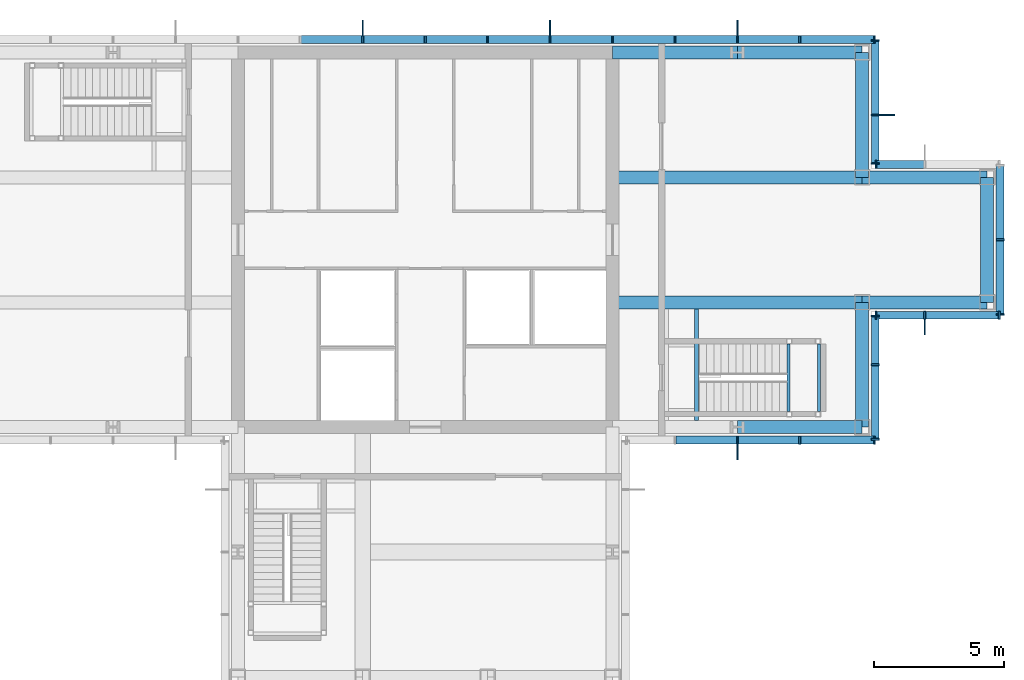
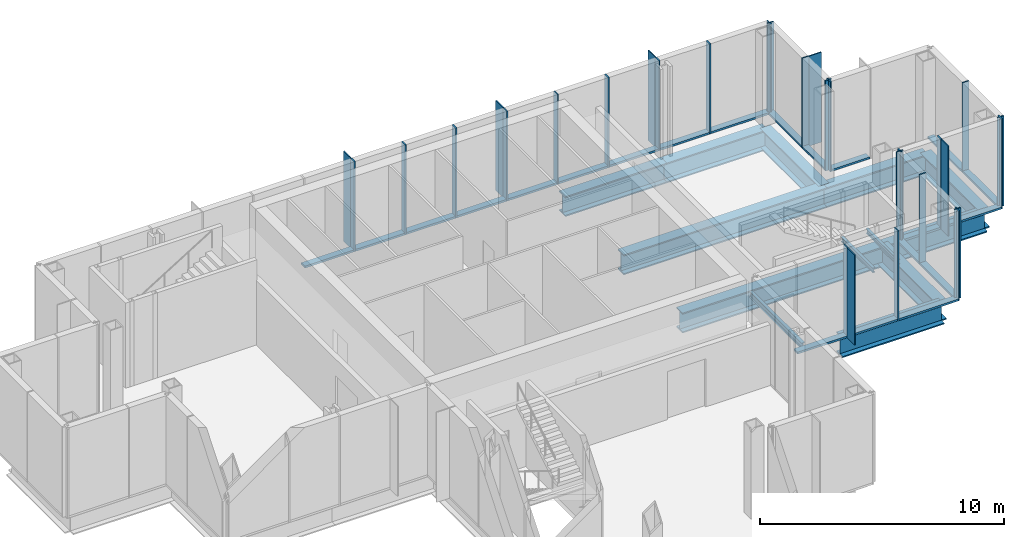
# One storey, part 7 of 12: 51 members, 13 beams, 7 elements without a shape of their own.
"""IFC4 building model written with IfcOpenShell, lengths in metres."""

from ifc_helpers import new_model, si_unit, direction, frame, origin, origin_2d, place, context, subcontext, project, spatial, rectangle, i_section, extrude, material, material_profile, profile_set, type_object, element, aggregate, save


model = new_model("IFC4")

# Units and contexts
model_context = context("Model", 3, precision=1e-05, world=origin(), true_north=direction((0.0, 1.0)))
body_context = subcontext(model_context, "Body", "Model", "MODEL_VIEW")
ifc_project = project(units=[si_unit("LENGTHUNIT", "METRE"), si_unit("AREAUNIT", "SQUARE_METRE"), si_unit("VOLUMEUNIT", "CUBIC_METRE"), si_unit("PLANEANGLEUNIT", "RADIAN"), si_unit("MASSUNIT", "GRAM", prefix="KILO")], contexts=[model_context])

# Site, building, storey
site_placement = place(None, origin())
site = spatial("IfcSite", under=ifc_project, at=site_placement, CompositionType="ELEMENT")
building_placement = place(site_placement, origin())
building = spatial("IfcBuilding", under=site, at=building_placement, Name="Kvirike Care Tower", CompositionType="ELEMENT")
storey_placement = place(building_placement, frame((0.0, 0.0, 243.5)))
storey = spatial("IfcBuildingStorey", under=building, at=storey_placement, Name="L67", CompositionType="ELEMENT", Elevation=243.5)

# Curtain wall, member
ifc_material_1 = material(Name="Anodised aluminium stick system", Category="aluminium")
curtain_wall_type = type_object("IfcCurtainWallType", Name="CW-L LOUVRED PLANT SCREEN", PredefinedType="NOTDEFINED", material=ifc_material_1)
curtain_wall_1_placement = place(storey_placement, origin())
curtain_wall_1 = element("IfcCurtainWall", 1, at=curtain_wall_1_placement, inside=storey, type_object=curtain_wall_type, Name="Curtain wall L67 face 1", PredefinedType="NOTDEFINED")
ifc_material_2 = material(Name="Bronze anodised aluminium fin", Category="aluminium")
ifc_material_profile_1 = material_profile(ifc_material_2, rectangle(XDim=0.050048828125, YDim=0.60009765625, at=origin_2d()), Name="BRONZE FIN 600")
ifc_profile_set_1 = profile_set([ifc_material_profile_1], Name="Bronze anodised aluminium fin")
member_type_1 = type_object("IfcMemberType", Name="BRONZE FIN 600", PredefinedType="USERDEFINED", material=ifc_profile_set_1)
member_1_placement = place(storey_placement, frame((33.60009765625, 27.85009765625, 0.0), z_axis=(0.0, 0.0, 1.0), x_axis=(1.0, 0.0, 0.0)))
member_1 = element("IfcMember", 2, at=member_1_placement, type_object=member_type_1, Name="Bronze fin L67 face 1.3", ObjectType="FIN", PredefinedType="USERDEFINED", context=body_context, shape_type="SweptSolid", body=[
    extrude(rectangle(XDim=0.050048828125, YDim=0.60009765625, at=origin_2d()), origin(), (0.0, 0.0, 1.0), 4.5),
])

curtain_wall_2_placement = place(storey_placement, origin())
curtain_wall_2 = element("IfcCurtainWall", 3, at=curtain_wall_2_placement, inside=storey, type_object=curtain_wall_type, Name="Curtain wall L67 face 3", PredefinedType="NOTDEFINED")
member_2_placement = place(storey_placement, frame((40.800048828125, 32.64990234375, 0.0), z_axis=(0.0, 0.0, 1.0), x_axis=(1.0, 0.0, 0.0)))
member_2 = element("IfcMember", 4, at=member_2_placement, type_object=member_type_1, Name="Bronze fin L67 face 3.2", ObjectType="FIN", PredefinedType="USERDEFINED", context=body_context, shape_type="SweptSolid", body=[
    extrude(rectangle(XDim=0.050048828125, YDim=0.60009765625, at=origin_2d()), origin(), (0.0, 0.0, 1.0), 4.5),
])

curtain_wall_3_placement = place(storey_placement, origin())
curtain_wall_3 = element("IfcCurtainWall", 5, at=curtain_wall_3_placement, inside=storey, type_object=curtain_wall_type, Name="Curtain wall L67 face 6", PredefinedType="NOTDEFINED")
member_3_placement = place(storey_placement, frame((39.35009765625, 40.800048828125, 0.0), z_axis=(0.0, 0.0, 1.0), x_axis=(0.0, 1.0, 0.0)))
member_3 = element("IfcMember", 6, at=member_3_placement, type_object=member_type_1, Name="Bronze fin L67 face 6.2", ObjectType="FIN", PredefinedType="USERDEFINED", context=body_context, shape_type="SweptSolid", body=[
    extrude(rectangle(XDim=0.050048828125, YDim=0.60009765625, at=origin_2d()), origin(), (0.0, 0.0, 1.0), 4.5),
])

# Curtain wall, members
curtain_wall_4_placement = place(storey_placement, origin())
curtain_wall_4 = element("IfcCurtainWall", 7, at=curtain_wall_4_placement, inside=storey, type_object=curtain_wall_type, Name="Curtain wall L67 face 7", PredefinedType="NOTDEFINED")
member_4_placement = place(storey_placement, frame((33.60009765625, 44.14990234375, 0.0), z_axis=(0.0, 0.0, 1.0), x_axis=(-1.0, 0.0, 0.0)))
member_4 = element("IfcMember", 8, at=member_4_placement, type_object=member_type_1, Name="Bronze fin L67 face 7.3", ObjectType="FIN", PredefinedType="USERDEFINED", context=body_context, shape_type="SweptSolid", body=[
    extrude(rectangle(XDim=0.050048828125, YDim=0.60009765625, at=origin_2d()), origin(), (0.0, 0.0, 1.0), 4.5),
])
member_5_placement = place(storey_placement, frame((26.39990234375, 44.14990234375, 0.0), z_axis=(0.0, 0.0, 1.0), x_axis=(-1.0, 0.0, 0.0)))
member_5 = element("IfcMember", 9, at=member_5_placement, type_object=member_type_1, Name="Bronze fin L67 face 7.6", ObjectType="FIN", PredefinedType="USERDEFINED", context=body_context, shape_type="SweptSolid", body=[
    extrude(rectangle(XDim=0.050048828125, YDim=0.60009765625, at=origin_2d()), origin(), (0.0, 0.0, 1.0), 4.5),
])
member_6_placement = place(storey_placement, frame((19.199951171875, 44.14990234375, 0.0), z_axis=(0.0, 0.0, 1.0), x_axis=(-1.0, 0.0, 0.0)))
member_6 = element("IfcMember", 10, at=member_6_placement, type_object=member_type_1, Name="Bronze fin L67 face 7.9", ObjectType="FIN", PredefinedType="USERDEFINED", context=body_context, shape_type="SweptSolid", body=[
    extrude(rectangle(XDim=0.050048828125, YDim=0.60009765625, at=origin_2d()), origin(), (0.0, 0.0, 1.0), 4.5),
])

# Member
ifc_material_3 = material(Name="Bronze anodised aluminium mullion", Category="aluminium")
ifc_material_profile_2 = material_profile(ifc_material_3, rectangle(XDim=0.06494140625, YDim=0.300048828125, at=origin_2d()), Name="CW-L MULLION 65x300")
ifc_profile_set_2 = profile_set([ifc_material_profile_2], Name="Bronze anodised aluminium mullion")
member_type_2 = type_object("IfcMemberType", Name="CW-L MULLION 65x300", PredefinedType="MULLION", material=ifc_profile_set_2)
member_7_placement = place(storey_placement, frame((33.60009765625, 28.300048828125, 0.0), z_axis=(0.0, 0.0, 1.0), x_axis=(1.0, 0.0, 0.0)))
member_7 = element("IfcMember", 11, at=member_7_placement, type_object=member_type_2, Name="CW-L mullion L67 face 1.3", PredefinedType="MULLION", context=body_context, shape_type="SweptSolid", body=[
    extrude(rectangle(XDim=0.06494140625, YDim=0.300048828125, at=origin_2d()), origin(), (0.0, 0.0, 1.0), 4.5),
])

member_8_placement = place(storey_placement, frame((36.0, 28.300048828125, 0.0), z_axis=(0.0, 0.0, 1.0), x_axis=(1.0, 0.0, 0.0)))
member_8 = element("IfcMember", 12, at=member_8_placement, type_object=member_type_2, Name="CW-L mullion L67 face 1.4", PredefinedType="MULLION", context=body_context, shape_type="SweptSolid", body=[
    extrude(rectangle(XDim=0.06494140625, YDim=0.300048828125, at=origin_2d()), origin(), (0.0, 0.0, 1.0), 4.5),
])

member_9_placement = place(storey_placement, frame((38.867431640625, 28.300048828125, 0.0), z_axis=(0.0, 0.0, 1.0), x_axis=(1.0, 0.0, 0.0)))
member_9 = element("IfcMember", 13, at=member_9_placement, type_object=member_type_2, Name="CW-L mullion L67 face 1.5", PredefinedType="MULLION", context=body_context, shape_type="SweptSolid", body=[
    extrude(rectangle(XDim=0.06494140625, YDim=0.300048828125, at=origin_2d()), origin(), (0.0, 0.0, 1.0), 4.5),
])

# Curtain wall, members
curtain_wall_5_placement = place(storey_placement, origin())
curtain_wall_5 = element("IfcCurtainWall", 14, at=curtain_wall_5_placement, inside=storey, type_object=curtain_wall_type, Name="Curtain wall L67 face 2", PredefinedType="NOTDEFINED")
member_10_placement = place(storey_placement, frame((38.89990234375, 28.33251953125, 0.0), z_axis=(0.0, 0.0, 1.0), x_axis=(0.0, 1.0, 0.0)))
member_10 = element("IfcMember", 15, at=member_10_placement, type_object=member_type_2, Name="CW-L mullion L67 face 2.1", PredefinedType="MULLION", context=body_context, shape_type="SweptSolid", body=[
    extrude(rectangle(XDim=0.06494140625, YDim=0.300048828125, at=origin_2d()), origin(), (0.0, 0.0, 1.0), 4.5),
])
member_11_placement = place(storey_placement, frame((38.89990234375, 31.199951171875, 0.0), z_axis=(0.0, 0.0, 1.0), x_axis=(0.0, 1.0, 0.0)))
member_11 = element("IfcMember", 16, at=member_11_placement, type_object=member_type_2, Name="CW-L mullion L67 face 2.2", PredefinedType="MULLION", context=body_context, shape_type="SweptSolid", body=[
    extrude(rectangle(XDim=0.06494140625, YDim=0.300048828125, at=origin_2d()), origin(), (0.0, 0.0, 1.0), 4.5),
])
member_12_placement = place(storey_placement, frame((38.89990234375, 33.0673828125, 0.0), z_axis=(0.0, 0.0, 1.0), x_axis=(0.0, 1.0, 0.0)))
member_12 = element("IfcMember", 17, at=member_12_placement, type_object=member_type_2, Name="CW-L mullion L67 face 2.3", PredefinedType="MULLION", context=body_context, shape_type="SweptSolid", body=[
    extrude(rectangle(XDim=0.06494140625, YDim=0.300048828125, at=origin_2d()), origin(), (0.0, 0.0, 1.0), 4.5),
])

# Member
member_13_placement = place(storey_placement, frame((38.9326171875, 33.10009765625, 0.0), z_axis=(0.0, 0.0, 1.0), x_axis=(1.0, 0.0, 0.0)))
member_13 = element("IfcMember", 18, at=member_13_placement, type_object=member_type_2, Name="CW-L mullion L67 face 3.1", PredefinedType="MULLION", context=body_context, shape_type="SweptSolid", body=[
    extrude(rectangle(XDim=0.06494140625, YDim=0.300048828125, at=origin_2d()), origin(), (0.0, 0.0, 1.0), 4.5),
])

member_14_placement = place(storey_placement, frame((40.800048828125, 33.10009765625, 0.0), z_axis=(0.0, 0.0, 1.0), x_axis=(1.0, 0.0, 0.0)))
member_14 = element("IfcMember", 19, at=member_14_placement, type_object=member_type_2, Name="CW-L mullion L67 face 3.2", PredefinedType="MULLION", context=body_context, shape_type="SweptSolid", body=[
    extrude(rectangle(XDim=0.06494140625, YDim=0.300048828125, at=origin_2d()), origin(), (0.0, 0.0, 1.0), 4.5),
])

member_15_placement = place(storey_placement, frame((43.66748046875, 33.10009765625, 0.0), z_axis=(0.0, 0.0, 1.0), x_axis=(1.0, 0.0, 0.0)))
member_15 = element("IfcMember", 20, at=member_15_placement, type_object=member_type_2, Name="CW-L mullion L67 face 3.3", PredefinedType="MULLION", context=body_context, shape_type="SweptSolid", body=[
    extrude(rectangle(XDim=0.06494140625, YDim=0.300048828125, at=origin_2d()), origin(), (0.0, 0.0, 1.0), 4.5),
])

# Curtain wall, members
curtain_wall_6_placement = place(storey_placement, origin())
curtain_wall_6 = element("IfcCurtainWall", 21, at=curtain_wall_6_placement, inside=storey, type_object=curtain_wall_type, Name="Curtain wall L67 face 4", PredefinedType="NOTDEFINED")
member_16_placement = place(storey_placement, frame((43.699951171875, 33.132568359375, 0.0), z_axis=(0.0, 0.0, 1.0), x_axis=(0.0, 1.0, 0.0)))
member_16 = element("IfcMember", 22, at=member_16_placement, type_object=member_type_2, Name="CW-L mullion L67 face 4.1", PredefinedType="MULLION", context=body_context, shape_type="SweptSolid", body=[
    extrude(rectangle(XDim=0.06494140625, YDim=0.300048828125, at=origin_2d()), origin(), (0.0, 0.0, 1.0), 4.5),
])
member_17_placement = place(storey_placement, frame((43.699951171875, 36.0, 0.0), z_axis=(0.0, 0.0, 1.0), x_axis=(0.0, 1.0, 0.0)))
member_17 = element("IfcMember", 23, at=member_17_placement, type_object=member_type_2, Name="CW-L mullion L67 face 4.2", PredefinedType="MULLION", context=body_context, shape_type="SweptSolid", body=[
    extrude(rectangle(XDim=0.06494140625, YDim=0.300048828125, at=origin_2d()), origin(), (0.0, 0.0, 1.0), 4.5),
])

# Curtain wall, member
curtain_wall_7_placement = place(storey_placement, origin())
curtain_wall_7 = element("IfcCurtainWall", 24, at=curtain_wall_7_placement, inside=storey, type_object=curtain_wall_type, Name="Curtain wall L67 face 5", PredefinedType="NOTDEFINED")
member_18_placement = place(storey_placement, frame((38.9326171875, 38.89990234375, 0.0), z_axis=(0.0, 0.0, 1.0), x_axis=(-1.0, 0.0, 0.0)))
member_18 = element("IfcMember", 25, at=member_18_placement, type_object=member_type_2, Name="CW-L mullion L67 face 5.3", PredefinedType="MULLION", context=body_context, shape_type="SweptSolid", body=[
    extrude(rectangle(XDim=0.06494140625, YDim=0.300048828125, at=origin_2d()), origin(), (0.0, 0.0, 1.0), 4.5),
])

# Member
member_19_placement = place(storey_placement, frame((38.89990234375, 38.9326171875, 0.0), z_axis=(0.0, 0.0, 1.0), x_axis=(0.0, 1.0, 0.0)))
member_19 = element("IfcMember", 26, at=member_19_placement, type_object=member_type_2, Name="CW-L mullion L67 face 6.1", PredefinedType="MULLION", context=body_context, shape_type="SweptSolid", body=[
    extrude(rectangle(XDim=0.06494140625, YDim=0.300048828125, at=origin_2d()), origin(), (0.0, 0.0, 1.0), 4.5),
])

member_20_placement = place(storey_placement, frame((38.89990234375, 40.800048828125, 0.0), z_axis=(0.0, 0.0, 1.0), x_axis=(0.0, 1.0, 0.0)))
member_20 = element("IfcMember", 27, at=member_20_placement, type_object=member_type_2, Name="CW-L mullion L67 face 6.2", PredefinedType="MULLION", context=body_context, shape_type="SweptSolid", body=[
    extrude(rectangle(XDim=0.06494140625, YDim=0.300048828125, at=origin_2d()), origin(), (0.0, 0.0, 1.0), 4.5),
])

member_21_placement = place(storey_placement, frame((38.89990234375, 43.66748046875, 0.0), z_axis=(0.0, 0.0, 1.0), x_axis=(0.0, 1.0, 0.0)))
member_21 = element("IfcMember", 28, at=member_21_placement, type_object=member_type_2, Name="CW-L mullion L67 face 6.3", PredefinedType="MULLION", context=body_context, shape_type="SweptSolid", body=[
    extrude(rectangle(XDim=0.06494140625, YDim=0.300048828125, at=origin_2d()), origin(), (0.0, 0.0, 1.0), 4.5),
])

member_22_placement = place(storey_placement, frame((38.867431640625, 43.699951171875, 0.0), z_axis=(0.0, 0.0, 1.0), x_axis=(-1.0, 0.0, 0.0)))
member_22 = element("IfcMember", 29, at=member_22_placement, type_object=member_type_2, Name="CW-L mullion L67 face 7.1", PredefinedType="MULLION", context=body_context, shape_type="SweptSolid", body=[
    extrude(rectangle(XDim=0.06494140625, YDim=0.300048828125, at=origin_2d()), origin(), (0.0, 0.0, 1.0), 4.5),
])

member_23_placement = place(storey_placement, frame((36.0, 43.699951171875, 0.0), z_axis=(0.0, 0.0, 1.0), x_axis=(-1.0, 0.0, 0.0)))
member_23 = element("IfcMember", 30, at=member_23_placement, type_object=member_type_2, Name="CW-L mullion L67 face 7.2", PredefinedType="MULLION", context=body_context, shape_type="SweptSolid", body=[
    extrude(rectangle(XDim=0.06494140625, YDim=0.300048828125, at=origin_2d()), origin(), (0.0, 0.0, 1.0), 4.5),
])

member_24_placement = place(storey_placement, frame((33.60009765625, 43.699951171875, 0.0), z_axis=(0.0, 0.0, 1.0), x_axis=(-1.0, 0.0, 0.0)))
member_24 = element("IfcMember", 31, at=member_24_placement, type_object=member_type_2, Name="CW-L mullion L67 face 7.3", PredefinedType="MULLION", context=body_context, shape_type="SweptSolid", body=[
    extrude(rectangle(XDim=0.06494140625, YDim=0.300048828125, at=origin_2d()), origin(), (0.0, 0.0, 1.0), 4.5),
])

member_25_placement = place(storey_placement, frame((31.199951171875, 43.699951171875, 0.0), z_axis=(0.0, 0.0, 1.0), x_axis=(-1.0, 0.0, 0.0)))
member_25 = element("IfcMember", 32, at=member_25_placement, type_object=member_type_2, Name="CW-L mullion L67 face 7.4", PredefinedType="MULLION", context=body_context, shape_type="SweptSolid", body=[
    extrude(rectangle(XDim=0.06494140625, YDim=0.300048828125, at=origin_2d()), origin(), (0.0, 0.0, 1.0), 4.5),
])

member_26_placement = place(storey_placement, frame((28.800048828125, 43.699951171875, 0.0), z_axis=(0.0, 0.0, 1.0), x_axis=(-1.0, 0.0, 0.0)))
member_26 = element("IfcMember", 33, at=member_26_placement, type_object=member_type_2, Name="CW-L mullion L67 face 7.5", PredefinedType="MULLION", context=body_context, shape_type="SweptSolid", body=[
    extrude(rectangle(XDim=0.06494140625, YDim=0.300048828125, at=origin_2d()), origin(), (0.0, 0.0, 1.0), 4.5),
])

member_27_placement = place(storey_placement, frame((26.39990234375, 43.699951171875, 0.0), z_axis=(0.0, 0.0, 1.0), x_axis=(-1.0, 0.0, 0.0)))
member_27 = element("IfcMember", 34, at=member_27_placement, type_object=member_type_2, Name="CW-L mullion L67 face 7.6", PredefinedType="MULLION", context=body_context, shape_type="SweptSolid", body=[
    extrude(rectangle(XDim=0.06494140625, YDim=0.300048828125, at=origin_2d()), origin(), (0.0, 0.0, 1.0), 4.5),
])

member_28_placement = place(storey_placement, frame((24.0, 43.699951171875, 0.0), z_axis=(0.0, 0.0, 1.0), x_axis=(-1.0, 0.0, 0.0)))
member_28 = element("IfcMember", 35, at=member_28_placement, type_object=member_type_2, Name="CW-L mullion L67 face 7.7", PredefinedType="MULLION", context=body_context, shape_type="SweptSolid", body=[
    extrude(rectangle(XDim=0.06494140625, YDim=0.300048828125, at=origin_2d()), origin(), (0.0, 0.0, 1.0), 4.5),
])

member_29_placement = place(storey_placement, frame((21.60009765625, 43.699951171875, 0.0), z_axis=(0.0, 0.0, 1.0), x_axis=(-1.0, 0.0, 0.0)))
member_29 = element("IfcMember", 36, at=member_29_placement, type_object=member_type_2, Name="CW-L mullion L67 face 7.8", PredefinedType="MULLION", context=body_context, shape_type="SweptSolid", body=[
    extrude(rectangle(XDim=0.06494140625, YDim=0.300048828125, at=origin_2d()), origin(), (0.0, 0.0, 1.0), 4.5),
])

member_30_placement = place(storey_placement, frame((19.199951171875, 43.699951171875, 0.0), z_axis=(0.0, 0.0, 1.0), x_axis=(-1.0, 0.0, 0.0)))
member_30 = element("IfcMember", 37, at=member_30_placement, type_object=member_type_2, Name="CW-L mullion L67 face 7.9", PredefinedType="MULLION", context=body_context, shape_type="SweptSolid", body=[
    extrude(rectangle(XDim=0.06494140625, YDim=0.300048828125, at=origin_2d()), origin(), (0.0, 0.0, 1.0), 4.5),
])

ifc_material_4 = material(Name="Bronze anodised aluminium transom", Category="aluminium")
ifc_material_profile_3 = material_profile(ifc_material_4, rectangle(XDim=0.300048828125, YDim=0.10009765625, at=origin_2d()), Name="CW-L TRANSOM 300x100")
ifc_profile_set_3 = profile_set([ifc_material_profile_3], Name="Bronze anodised aluminium transom")
member_type_3 = type_object("IfcMemberType", Name="CW-L TRANSOM 300x100", PredefinedType="USERDEFINED", material=ifc_profile_set_3)
member_31_placement = place(storey_placement, frame((31.232421875, 28.300048828125, 0.050048828125), z_axis=(1.0, 0.0, 0.0), x_axis=(0.0, 1.0, 0.0)))
member_31 = element("IfcMember", 38, at=member_31_placement, type_object=member_type_3, Name="CW-L sill transom L67 face 1.2", ObjectType="TRANSOM", PredefinedType="USERDEFINED", context=body_context, shape_type="SweptSolid", body=[
    extrude(rectangle(XDim=0.300048828125, YDim=0.10009765625, at=origin_2d()), origin(), (0.0, 0.0, 1.0), 2.3349609375),
])

member_32_placement = place(storey_placement, frame((33.632568359375, 28.300048828125, 0.050048828125), z_axis=(1.0, 0.0, 0.0), x_axis=(0.0, 1.0, 0.0)))
member_32 = element("IfcMember", 39, at=member_32_placement, type_object=member_type_3, Name="CW-L sill transom L67 face 1.3", ObjectType="TRANSOM", PredefinedType="USERDEFINED", context=body_context, shape_type="SweptSolid", body=[
    extrude(rectangle(XDim=0.300048828125, YDim=0.10009765625, at=origin_2d()), origin(), (0.0, 0.0, 1.0), 2.3349609375),
])

member_33_placement = place(storey_placement, frame((36.032470703125, 28.300048828125, 0.050048828125), z_axis=(1.0, 0.0, 0.0), x_axis=(0.0, 1.0, 0.0)))
member_33 = element("IfcMember", 40, at=member_33_placement, type_object=member_type_3, Name="CW-L sill transom L67 face 1.4", ObjectType="TRANSOM", PredefinedType="USERDEFINED", context=body_context, shape_type="SweptSolid", body=[
    extrude(rectangle(XDim=0.300048828125, YDim=0.10009765625, at=origin_2d()), origin(), (0.0, 0.0, 1.0), 2.802490234375),
])

aggregate(curtain_wall_1, [member_7, member_1, member_8, member_9, member_31, member_32, member_33])

member_34_placement = place(storey_placement, frame((38.89990234375, 28.364990234375, 0.050048828125), z_axis=(0.0, 1.0, 0.0), x_axis=(-1.0, 0.0, 0.0)))
member_34 = element("IfcMember", 41, at=member_34_placement, type_object=member_type_3, Name="CW-L sill transom L67 face 2.1", ObjectType="TRANSOM", PredefinedType="USERDEFINED", context=body_context, shape_type="SweptSolid", body=[
    extrude(rectangle(XDim=0.300048828125, YDim=0.10009765625, at=origin_2d()), origin(), (0.0, 0.0, 1.0), 2.802490234375),
])

member_35_placement = place(storey_placement, frame((38.89990234375, 31.232421875, 0.050048828125), z_axis=(0.0, 1.0, 0.0), x_axis=(-1.0, 0.0, 0.0)))
member_35 = element("IfcMember", 42, at=member_35_placement, type_object=member_type_3, Name="CW-L sill transom L67 face 2.2", ObjectType="TRANSOM", PredefinedType="USERDEFINED", context=body_context, shape_type="SweptSolid", body=[
    extrude(rectangle(XDim=0.300048828125, YDim=0.10009765625, at=origin_2d()), origin(), (0.0, 0.0, 1.0), 1.802490234375),
])

aggregate(curtain_wall_5, [member_10, member_11, member_12, member_34, member_35])

member_36_placement = place(storey_placement, frame((38.965087890625, 33.10009765625, 0.050048828125), z_axis=(1.0, 0.0, 0.0), x_axis=(0.0, 1.0, 0.0)))
member_36 = element("IfcMember", 43, at=member_36_placement, type_object=member_type_3, Name="CW-L sill transom L67 face 3.1", ObjectType="TRANSOM", PredefinedType="USERDEFINED", context=body_context, shape_type="SweptSolid", body=[
    extrude(rectangle(XDim=0.300048828125, YDim=0.10009765625, at=origin_2d()), origin(), (0.0, 0.0, 1.0), 1.802490234375),
])

member_37_placement = place(storey_placement, frame((40.83251953125, 33.10009765625, 0.050048828125), z_axis=(1.0, 0.0, 0.0), x_axis=(0.0, 1.0, 0.0)))
member_37 = element("IfcMember", 44, at=member_37_placement, type_object=member_type_3, Name="CW-L sill transom L67 face 3.2", ObjectType="TRANSOM", PredefinedType="USERDEFINED", context=body_context, shape_type="SweptSolid", body=[
    extrude(rectangle(XDim=0.300048828125, YDim=0.10009765625, at=origin_2d()), origin(), (0.0, 0.0, 1.0), 2.802490234375),
])

aggregate(curtain_wall_2, [member_13, member_14, member_2, member_15, member_36, member_37])

member_38_placement = place(storey_placement, frame((43.699951171875, 33.1650390625, 0.050048828125), z_axis=(0.0, 1.0, 0.0), x_axis=(-1.0, 0.0, 0.0)))
member_38 = element("IfcMember", 45, at=member_38_placement, type_object=member_type_3, Name="CW-L sill transom L67 face 4.1", ObjectType="TRANSOM", PredefinedType="USERDEFINED", context=body_context, shape_type="SweptSolid", body=[
    extrude(rectangle(XDim=0.300048828125, YDim=0.10009765625, at=origin_2d()), origin(), (0.0, 0.0, 1.0), 2.802490234375),
])

member_39_placement = place(storey_placement, frame((43.699951171875, 36.032470703125, 0.050048828125), z_axis=(0.0, 1.0, 0.0), x_axis=(-1.0, 0.0, 0.0)))
member_39 = element("IfcMember", 46, at=member_39_placement, type_object=member_type_3, Name="CW-L sill transom L67 face 4.2", ObjectType="TRANSOM", PredefinedType="USERDEFINED", context=body_context, shape_type="SweptSolid", body=[
    extrude(rectangle(XDim=0.300048828125, YDim=0.10009765625, at=origin_2d()), origin(), (0.0, 0.0, 1.0), 2.802490234375),
])

aggregate(curtain_wall_6, [member_16, member_17, member_38, member_39])

member_40_placement = place(storey_placement, frame((40.767578125, 38.89990234375, 0.050048828125), z_axis=(-1.0, 0.0, 0.0), x_axis=(0.0, -1.0, 0.0)))
member_40 = element("IfcMember", 47, at=member_40_placement, type_object=member_type_3, Name="CW-L sill transom L67 face 5.2", ObjectType="TRANSOM", PredefinedType="USERDEFINED", context=body_context, shape_type="SweptSolid", body=[
    extrude(rectangle(XDim=0.300048828125, YDim=0.10009765625, at=origin_2d()), origin(), (0.0, 0.0, 1.0), 1.802490234375),
])

aggregate(curtain_wall_7, [member_18, member_40])

member_41_placement = place(storey_placement, frame((38.89990234375, 38.965087890625, 0.050048828125), z_axis=(0.0, 1.0, 0.0), x_axis=(-1.0, 0.0, 0.0)))
member_41 = element("IfcMember", 48, at=member_41_placement, type_object=member_type_3, Name="CW-L sill transom L67 face 6.1", ObjectType="TRANSOM", PredefinedType="USERDEFINED", context=body_context, shape_type="SweptSolid", body=[
    extrude(rectangle(XDim=0.300048828125, YDim=0.10009765625, at=origin_2d()), origin(), (0.0, 0.0, 1.0), 1.802490234375),
])

member_42_placement = place(storey_placement, frame((38.89990234375, 40.83251953125, 0.050048828125), z_axis=(0.0, 1.0, 0.0), x_axis=(-1.0, 0.0, 0.0)))
member_42 = element("IfcMember", 49, at=member_42_placement, type_object=member_type_3, Name="CW-L sill transom L67 face 6.2", ObjectType="TRANSOM", PredefinedType="USERDEFINED", context=body_context, shape_type="SweptSolid", body=[
    extrude(rectangle(XDim=0.300048828125, YDim=0.10009765625, at=origin_2d()), origin(), (0.0, 0.0, 1.0), 2.802490234375),
])

aggregate(curtain_wall_3, [member_19, member_20, member_3, member_21, member_41, member_42])

member_43_placement = place(storey_placement, frame((38.8349609375, 43.699951171875, 0.050048828125), z_axis=(-1.0, 0.0, 0.0), x_axis=(0.0, -1.0, 0.0)))
member_43 = element("IfcMember", 50, at=member_43_placement, type_object=member_type_3, Name="CW-L sill transom L67 face 7.1", ObjectType="TRANSOM", PredefinedType="USERDEFINED", context=body_context, shape_type="SweptSolid", body=[
    extrude(rectangle(XDim=0.300048828125, YDim=0.10009765625, at=origin_2d()), origin(), (0.0, 0.0, 1.0), 2.802490234375),
])

member_44_placement = place(storey_placement, frame((35.967529296875, 43.699951171875, 0.050048828125), z_axis=(-1.0, 0.0, 0.0), x_axis=(0.0, -1.0, 0.0)))
member_44 = element("IfcMember", 51, at=member_44_placement, type_object=member_type_3, Name="CW-L sill transom L67 face 7.2", ObjectType="TRANSOM", PredefinedType="USERDEFINED", context=body_context, shape_type="SweptSolid", body=[
    extrude(rectangle(XDim=0.300048828125, YDim=0.10009765625, at=origin_2d()), origin(), (0.0, 0.0, 1.0), 2.3349609375),
])

member_45_placement = place(storey_placement, frame((33.5673828125, 43.699951171875, 0.050048828125), z_axis=(-1.0, 0.0, 0.0), x_axis=(0.0, -1.0, 0.0)))
member_45 = element("IfcMember", 52, at=member_45_placement, type_object=member_type_3, Name="CW-L sill transom L67 face 7.3", ObjectType="TRANSOM", PredefinedType="USERDEFINED", context=body_context, shape_type="SweptSolid", body=[
    extrude(rectangle(XDim=0.300048828125, YDim=0.10009765625, at=origin_2d()), origin(), (0.0, 0.0, 1.0), 2.3349609375),
])

member_46_placement = place(storey_placement, frame((31.16748046875, 43.699951171875, 0.050048828125), z_axis=(-1.0, 0.0, 0.0), x_axis=(0.0, -1.0, 0.0)))
member_46 = element("IfcMember", 53, at=member_46_placement, type_object=member_type_3, Name="CW-L sill transom L67 face 7.4", ObjectType="TRANSOM", PredefinedType="USERDEFINED", context=body_context, shape_type="SweptSolid", body=[
    extrude(rectangle(XDim=0.300048828125, YDim=0.10009765625, at=origin_2d()), origin(), (0.0, 0.0, 1.0), 2.3349609375),
])

member_47_placement = place(storey_placement, frame((28.767578125, 43.699951171875, 0.050048828125), z_axis=(-1.0, 0.0, 0.0), x_axis=(0.0, -1.0, 0.0)))
member_47 = element("IfcMember", 54, at=member_47_placement, type_object=member_type_3, Name="CW-L sill transom L67 face 7.5", ObjectType="TRANSOM", PredefinedType="USERDEFINED", context=body_context, shape_type="SweptSolid", body=[
    extrude(rectangle(XDim=0.300048828125, YDim=0.10009765625, at=origin_2d()), origin(), (0.0, 0.0, 1.0), 2.3349609375),
])

member_48_placement = place(storey_placement, frame((26.367431640625, 43.699951171875, 0.050048828125), z_axis=(-1.0, 0.0, 0.0), x_axis=(0.0, -1.0, 0.0)))
member_48 = element("IfcMember", 55, at=member_48_placement, type_object=member_type_3, Name="CW-L sill transom L67 face 7.6", ObjectType="TRANSOM", PredefinedType="USERDEFINED", context=body_context, shape_type="SweptSolid", body=[
    extrude(rectangle(XDim=0.300048828125, YDim=0.10009765625, at=origin_2d()), origin(), (0.0, 0.0, 1.0), 2.3349609375),
])

member_49_placement = place(storey_placement, frame((23.967529296875, 43.699951171875, 0.050048828125), z_axis=(-1.0, 0.0, 0.0), x_axis=(0.0, -1.0, 0.0)))
member_49 = element("IfcMember", 56, at=member_49_placement, type_object=member_type_3, Name="CW-L sill transom L67 face 7.7", ObjectType="TRANSOM", PredefinedType="USERDEFINED", context=body_context, shape_type="SweptSolid", body=[
    extrude(rectangle(XDim=0.300048828125, YDim=0.10009765625, at=origin_2d()), origin(), (0.0, 0.0, 1.0), 2.3349609375),
])

member_50_placement = place(storey_placement, frame((21.5673828125, 43.699951171875, 0.050048828125), z_axis=(-1.0, 0.0, 0.0), x_axis=(0.0, -1.0, 0.0)))
member_50 = element("IfcMember", 57, at=member_50_placement, type_object=member_type_3, Name="CW-L sill transom L67 face 7.8", ObjectType="TRANSOM", PredefinedType="USERDEFINED", context=body_context, shape_type="SweptSolid", body=[
    extrude(rectangle(XDim=0.300048828125, YDim=0.10009765625, at=origin_2d()), origin(), (0.0, 0.0, 1.0), 2.3349609375),
])

member_51_placement = place(storey_placement, frame((19.16748046875, 43.699951171875, 0.050048828125), z_axis=(-1.0, 0.0, 0.0), x_axis=(0.0, -1.0, 0.0)))
member_51 = element("IfcMember", 58, at=member_51_placement, type_object=member_type_3, Name="CW-L sill transom L67 face 7.9", ObjectType="TRANSOM", PredefinedType="USERDEFINED", context=body_context, shape_type="SweptSolid", body=[
    extrude(rectangle(XDim=0.300048828125, YDim=0.10009765625, at=origin_2d()), origin(), (0.0, 0.0, 1.0), 2.3349609375),
])

aggregate(curtain_wall_4, [member_22, member_23, member_24, member_4, member_25, member_26, member_27, member_5, member_28, member_29, member_30, member_6, member_43, member_44, member_45, member_46, member_47, member_48, member_49, member_50, member_51])

# Beams
ifc_material_5 = material(Name="Steel S355", Category="steel")
ifc_material_profile_4 = material_profile(ifc_material_5, i_section(OverallWidth=0.5, OverallDepth=1.0, WebThickness=0.030029296875, FlangeThickness=0.06005859375, at=origin_2d()), Name="PG 1000x500x30x60")
ifc_profile_set_4 = profile_set([ifc_material_profile_4], Name="Steel S355")
beam_type_1 = type_object("IfcBeamType", Name="PLANT FLOOR GIRDER PG 1000x500x30x60", PredefinedType="BEAM", material=ifc_profile_set_4)
for number, where, z_axis, x_axis, name in (
    (59, (28.800048828125, 33.60009765625, -0.75), (1.0, 0.0, 0.0), (0.0, 1.0, 0.0), "Plant Floor Girder H9-H11 L67"),
    (60, (28.800048828125, 38.39990234375, -0.75), (1.0, 0.0, 0.0), (0.0, 1.0, 0.0), "Plant Floor Girder J9-J11 L67"),
):
    element("IfcBeam", number, at=place(storey_placement, frame(where, z_axis=z_axis, x_axis=x_axis)), inside=storey, type_object=beam_type_1, Name=name, PredefinedType="BEAM", context=body_context, shape_type="SweptSolid", body=[
        extrude(i_section(OverallWidth=0.5, OverallDepth=1.0, WebThickness=0.030029296875, FlangeThickness=0.06005859375, at=origin_2d()), origin(), (0.0, 0.0, 1.0), 9.599853515625),
    ])
ifc_material_6 = material(Name="Steel S355", Category="steel")
ifc_material_profile_5 = material_profile(ifc_material_6, i_section(OverallWidth=0.5, OverallDepth=1.0, WebThickness=0.030029296875, FlangeThickness=0.06005859375, at=origin_2d()), Name="PG 1000x500x30x60")
ifc_profile_set_5 = profile_set([ifc_material_profile_5], Name="Steel S355")
beam_type_2 = type_object("IfcBeamType", Name="SPANDREL PG 1000x500x30x60", PredefinedType="SPANDREL", material=ifc_profile_set_5)
beam_1_placement = place(storey_placement, frame((33.60009765625, 28.800048828125, -0.75), z_axis=(1.0, 0.0, 0.0), x_axis=(0.0, 1.0, 0.0)))
element("IfcBeam", 61, at=beam_1_placement, inside=storey, type_object=beam_type_2, Name="Spandrel G10-G11 L67", PredefinedType="SPANDREL", context=body_context, shape_type="SweptSolid", body=[
    extrude(i_section(OverallWidth=0.5, OverallDepth=1.0, WebThickness=0.030029296875, FlangeThickness=0.06005859375, at=origin_2d()), origin(), (0.0, 0.0, 1.0), 4.7998046875),
])
for number, where, z_axis, x_axis, name in (
    (62, (38.39990234375, 33.60009765625, -0.75), (1.0, 0.0, 0.0), (0.0, 1.0, 0.0), "Spandrel H11-H12 L67"),
    (63, (38.39990234375, 38.39990234375, -0.75), (1.0, 0.0, 0.0), (0.0, 1.0, 0.0), "Spandrel J11-J12 L67"),
    (64, (28.800048828125, 43.199951171875, -0.75), (1.0, 0.0, 0.0), (0.0, 1.0, 0.0), "Spandrel K9-K10 L67"),
):
    element("IfcBeam", number, at=place(storey_placement, frame(where, z_axis=z_axis, x_axis=x_axis)), inside=storey, type_object=beam_type_2, Name=name, PredefinedType="SPANDREL", context=body_context, shape_type="SweptSolid", body=[
        extrude(i_section(OverallWidth=0.5, OverallDepth=1.0, WebThickness=0.030029296875, FlangeThickness=0.06005859375, at=origin_2d()), origin(), (0.0, 0.0, 1.0), 4.800048828125),
    ])
beam_2_placement = place(storey_placement, frame((33.60009765625, 43.199951171875, -0.75), z_axis=(1.0, 0.0, 0.0), x_axis=(0.0, 1.0, 0.0)))
element("IfcBeam", 65, at=beam_2_placement, inside=storey, type_object=beam_type_2, Name="Spandrel K10-K11 L67", PredefinedType="SPANDREL", context=body_context, shape_type="SweptSolid", body=[
    extrude(i_section(OverallWidth=0.5, OverallDepth=1.0, WebThickness=0.030029296875, FlangeThickness=0.06005859375, at=origin_2d()), origin(), (0.0, 0.0, 1.0), 4.7998046875),
])
for number, where, z_axis, x_axis, name in (
    (66, (38.39990234375, 28.800048828125, -0.75), (0.0, 1.0, 0.0), (-1.0, 0.0, 0.0), "Spandrel G11-H11 L67"),
    (67, (38.39990234375, 38.39990234375, -0.75), (0.0, 1.0, 0.0), (-1.0, 0.0, 0.0), "Spandrel J11-K11 L67"),
):
    element("IfcBeam", number, at=place(storey_placement, frame(where, z_axis=z_axis, x_axis=x_axis)), inside=storey, type_object=beam_type_2, Name=name, PredefinedType="SPANDREL", context=body_context, shape_type="SweptSolid", body=[
        extrude(i_section(OverallWidth=0.5, OverallDepth=1.0, WebThickness=0.030029296875, FlangeThickness=0.06005859375, at=origin_2d()), origin(), (0.0, 0.0, 1.0), 4.800048828125),
    ])
beam_3_placement = place(storey_placement, frame((43.199951171875, 33.60009765625, -0.75), z_axis=(0.0, 1.0, 0.0), x_axis=(-1.0, 0.0, 0.0)))
element("IfcBeam", 68, at=beam_3_placement, inside=storey, type_object=beam_type_2, Name="Spandrel H12-J12 L67", PredefinedType="SPANDREL", context=body_context, shape_type="SweptSolid", body=[
    extrude(i_section(OverallWidth=0.5, OverallDepth=1.0, WebThickness=0.030029296875, FlangeThickness=0.06005859375, at=origin_2d()), origin(), (0.0, 0.0, 1.0), 4.7998046875),
])
ifc_material_7 = material(Name="Steel S355", Category="steel")
ifc_material_profile_6 = material_profile(ifc_material_7, i_section(OverallWidth=0.1201171875, OverallDepth=0.239990234375, WebThickness=0.006103515625, FlangeThickness=0.009765625, FilletRadius=0.014892578125, at=origin_2d()), Name="IPE 240")
ifc_profile_set_6 = profile_set([ifc_material_profile_6], Name="Steel S355")
beam_type_3 = type_object("IfcBeamType", Name="STAIR LANDING BEAM IPE 240", PredefinedType="BEAM", material=ifc_profile_set_6)
for number, where, z_axis, x_axis, name in (
    (69, (36.739990234375, 29.39990234375, 1.929931640625), (0.0, 1.0, 0.0), (-1.0, 0.0, 0.0), "Stair 2 landing beam back L67"),
    (70, (35.56005859375, 29.39990234375, 1.929931640625), (0.0, 1.0, 0.0), (-1.0, 0.0, 0.0), "Stair 2 landing beam front L67"),
):
    element("IfcBeam", number, at=place(storey_placement, frame(where, z_axis=z_axis, x_axis=x_axis)), inside=storey, type_object=beam_type_3, Name=name, PredefinedType="BEAM", context=body_context, shape_type="SweptSolid", body=[
        extrude(i_section(OverallWidth=0.1201171875, OverallDepth=0.239990234375, WebThickness=0.006103515625, FlangeThickness=0.009765625, FilletRadius=0.014892578125, at=origin_2d()), origin(), (0.0, 0.0, 1.0), 2.60009765625),
    ])
ifc_material_8 = material(Name="Steel S355", Category="steel")
ifc_material_profile_7 = material_profile(ifc_material_8, i_section(OverallWidth=0.14990234375, OverallDepth=0.300048828125, WebThickness=0.007080078125, FlangeThickness=0.0107421875, FilletRadius=0.014892578125, at=origin_2d()), Name="IPE 300")
ifc_profile_set_7 = profile_set([ifc_material_profile_7], Name="Steel S355")
beam_type_4 = type_object("IfcBeamType", Name="STAIR TRIMMER IPE 300", PredefinedType="BEAM", material=ifc_profile_set_7)
beam_4_placement = place(storey_placement, frame((32.02490234375, 29.050048828125, -0.39990234375), z_axis=(0.0, 1.0, 0.0), x_axis=(-1.0, 0.0, 0.0)))
element("IfcBeam", 71, at=beam_4_placement, inside=storey, type_object=beam_type_4, Name="Stair 2 trimmer 1 L67", PredefinedType="BEAM", context=body_context, shape_type="SweptSolid", body=[
    extrude(i_section(OverallWidth=0.14990234375, OverallDepth=0.300048828125, WebThickness=0.007080078125, FlangeThickness=0.0107421875, FilletRadius=0.014892578125, at=origin_2d()), origin(), (0.0, 0.0, 1.0), 4.300048828125),
])

save(model, "model.ifc")
